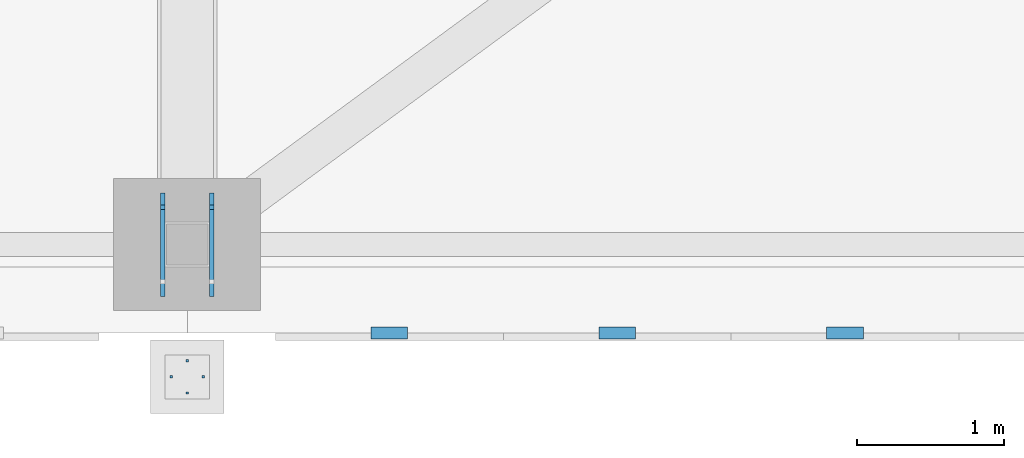
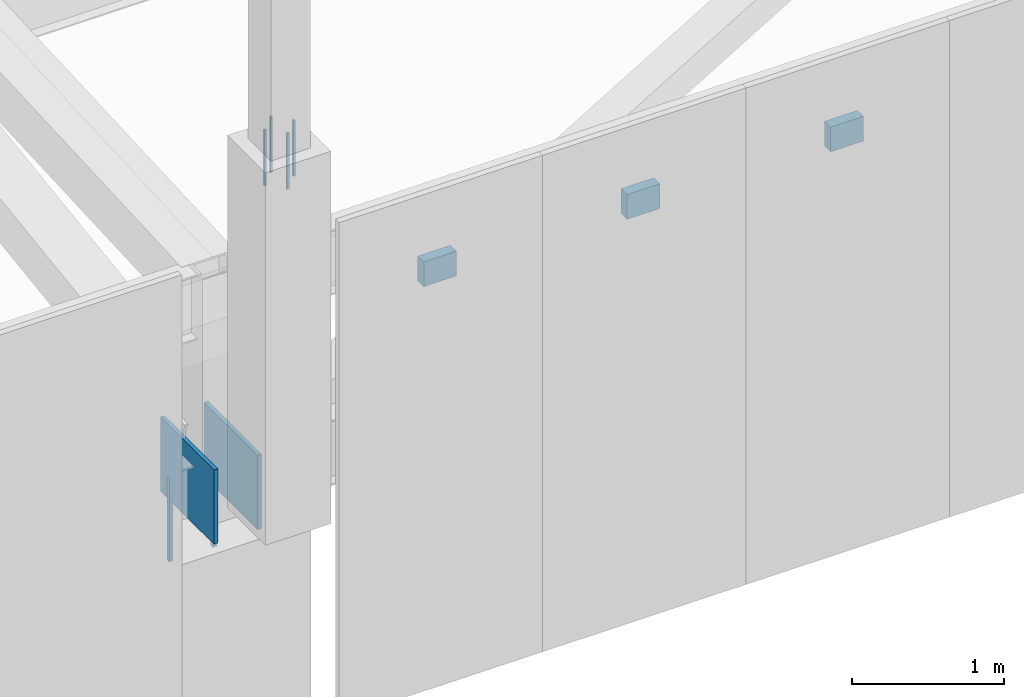
# One storey, part 140 of 278: 6 mechanical fasteners, 5 discrete accessories.
"""IFC4 building model written with IfcOpenShell, lengths in metres."""

from ifc_helpers import new_model, si_unit, direction, frame, origin, origin_2d, place, context, subcontext, project, spatial, rectangle, extrude, material, layer, layer_set, type_object, element, save


model = new_model("IFC4")

# Units and contexts
model_context = context("Model", 3, precision=1e-05, world=origin(), true_north=direction((0.0, 1.0)))
body_context = subcontext(model_context, "Body", "Model", "MODEL_VIEW")
ifc_project = project(units=[si_unit("LENGTHUNIT", "METRE"), si_unit("AREAUNIT", "SQUARE_METRE"), si_unit("VOLUMEUNIT", "CUBIC_METRE"), si_unit("PLANEANGLEUNIT", "RADIAN"), si_unit("MASSUNIT", "GRAM", prefix="KILO")], contexts=[model_context])

# Site, building, storey
site_placement = place(None, origin())
site = spatial("IfcSite", under=ifc_project, at=site_placement, CompositionType="ELEMENT")
building_placement = place(site_placement, origin())
building = spatial("IfcBuilding", under=site, at=building_placement, Name="Ogive Plaza Stadium", CompositionType="ELEMENT")
storey_placement = place(building_placement, frame((0.0, 0.0, 29.0)))
storey = spatial("IfcBuildingStorey", under=building, at=storey_placement, Name="Roof", CompositionType="ELEMENT", Elevation=29.0)

# Mechanical fasteners
ifc_material_1 = material(Name="Steel ASTM A992 Grade 50", Category="steel")
mechanical_fastener_type_1 = type_object("IfcMechanicalFastenerType", Name="Anchor bolt M30 x 600", PredefinedType="ANCHORBOLT", material=ifc_material_1)
for number, where, z_axis, x_axis, name in (
    (1, (20.56640625, -102.24755859375, 3.0), (0.0, 0.0, 1.0), (0.0, -1.0, 0.0), "ANCHOR BOLT 13 BF 1.2"),
    (2, (20.233642578125, -102.24755859375, 3.0), (0.0, 0.0, 1.0), (0.0, -1.0, 0.0), "ANCHOR BOLT 13 BF 2.2"),
):
    element("IfcMechanicalFastener", number, at=place(storey_placement, frame(where, z_axis=z_axis, x_axis=x_axis)), inside=storey, type_object=mechanical_fastener_type_1, Name=name, PredefinedType="ANCHORBOLT", context=body_context, shape_type="SweptSolid", body=[
        extrude(rectangle(XDim=0.030029296875, YDim=0.030029296875, at=origin_2d()), origin(), (0.0, 0.0, 1.0), 0.679931640625),
    ])
ifc_material_2 = material(Name="Steel ASTM A992 Grade 50", Category="steel")
mechanical_fastener_type_2 = type_object("IfcMechanicalFastenerType", Name="Spire anchor bolt M16 x 450", PredefinedType="ANCHORBOLT", material=ifc_material_2)
for number, where, z_axis, x_axis, name in (
    (3, (20.39990234375, -103.510009765625, 6.7001953125), (0.0, 0.0, 1.0), (0.0, -1.0, 0.0), "SPIRE ANCHOR BOLT 13 1"),
    (4, (20.39990234375, -103.2900390625, 6.7001953125), (0.0, 0.0, 1.0), (0.0, -1.0, 0.0), "SPIRE ANCHOR BOLT 13 2"),
    (5, (20.510009765625, -103.39990234375, 6.7001953125), (0.0, 0.0, 1.0), (0.0, -1.0, 0.0), "SPIRE ANCHOR BOLT 13 3"),
    (6, (20.2900390625, -103.39990234375, 6.7001953125), (0.0, 0.0, 1.0), (0.0, -1.0, 0.0), "SPIRE ANCHOR BOLT 13 4"),
):
    element("IfcMechanicalFastener", number, at=place(storey_placement, frame(where, z_axis=z_axis, x_axis=x_axis)), inside=storey, type_object=mechanical_fastener_type_2, Name=name, PredefinedType="ANCHORBOLT", context=body_context, shape_type="SweptSolid", body=[
        extrude(rectangle(XDim=0.01611328125, YDim=0.01611328125, at=origin_2d()), origin(), (0.0, 0.0, 1.0), 0.449951171875),
    ])

# Discrete accessories
ifc_material_3 = material(Name="Steel ASTM A572 Grade 50", Category="steel")
ifc_layer_1 = layer(ifc_material_3, 0.080078125)
ifc_layer_set_1 = layer_set([ifc_layer_1], Name="Steel ASTM A572 Grade 50")
discrete_accessory_type_1 = type_object("IfcDiscreteAccessoryType", Name="Tracery screen bracket 250x200", PredefinedType="BRACKET", material=ifc_layer_set_1)
for number, where, z_axis, x_axis, name in (
    (7, (24.875, -103.102294921875, 5.25), (0.0, 0.0, 1.0), (-1.0, 0.0, 0.0), "TRACERY SCREEN BRACKET B12 6"),
    (8, (23.324951171875, -103.102294921875, 5.25), (0.0, 0.0, 1.0), (-1.0, 0.0, 0.0), "TRACERY SCREEN BRACKET B12 7"),
    (9, (21.77490234375, -103.102294921875, 5.25), (0.0, 0.0, 1.0), (-1.0, 0.0, 0.0), "TRACERY SCREEN BRACKET B12 8"),
):
    element("IfcDiscreteAccessory", number, at=place(storey_placement, frame(where, z_axis=z_axis, x_axis=x_axis)), inside=storey, type_object=discrete_accessory_type_1, Name=name, PredefinedType="BRACKET", context=body_context, shape_type="SweptSolid", body=[
        extrude(rectangle(XDim=0.25, YDim=0.080078125, at=origin_2d()), origin(), (0.0, 0.0, 1.0), 0.199951171875),
    ])
ifc_material_4 = material(Name="Steel ASTM A992 Grade 50", Category="steel")
ifc_layer_2 = layer(ifc_material_4, 0.030029296875)
ifc_layer_set_2 = layer_set([ifc_layer_2], Name="Steel ASTM A992 Grade 50")
discrete_accessory_type_2 = type_object("IfcDiscreteAccessoryType", Name="Truss back-stay foot cleat plate 30", PredefinedType="ANCHORPLATE", material=ifc_layer_set_2)
for number, where, z_axis, x_axis, name in (
    (10, (20.56640625, -102.5, 3.5), (0.0, 0.0, 1.0), (0.0, -1.0, 0.0), "TRUSS BACK-STAY FOOT CLEAT PLATE 13 1"),
    (11, (20.233642578125, -102.5, 3.5), (0.0, 0.0, 1.0), (0.0, -1.0, 0.0), "TRUSS BACK-STAY FOOT CLEAT PLATE 13 2"),
):
    element("IfcDiscreteAccessory", number, at=place(storey_placement, frame(where, z_axis=z_axis, x_axis=x_axis)), inside=storey, type_object=discrete_accessory_type_2, Name=name, PredefinedType="ANCHORPLATE", context=body_context, shape_type="SweptSolid", body=[
        extrude(rectangle(XDim=0.704833984375, YDim=0.030029296875, at=origin_2d()), origin(), (0.0, 0.0, 1.0), 0.60009765625),
    ])

save(model, "model.ifc")
